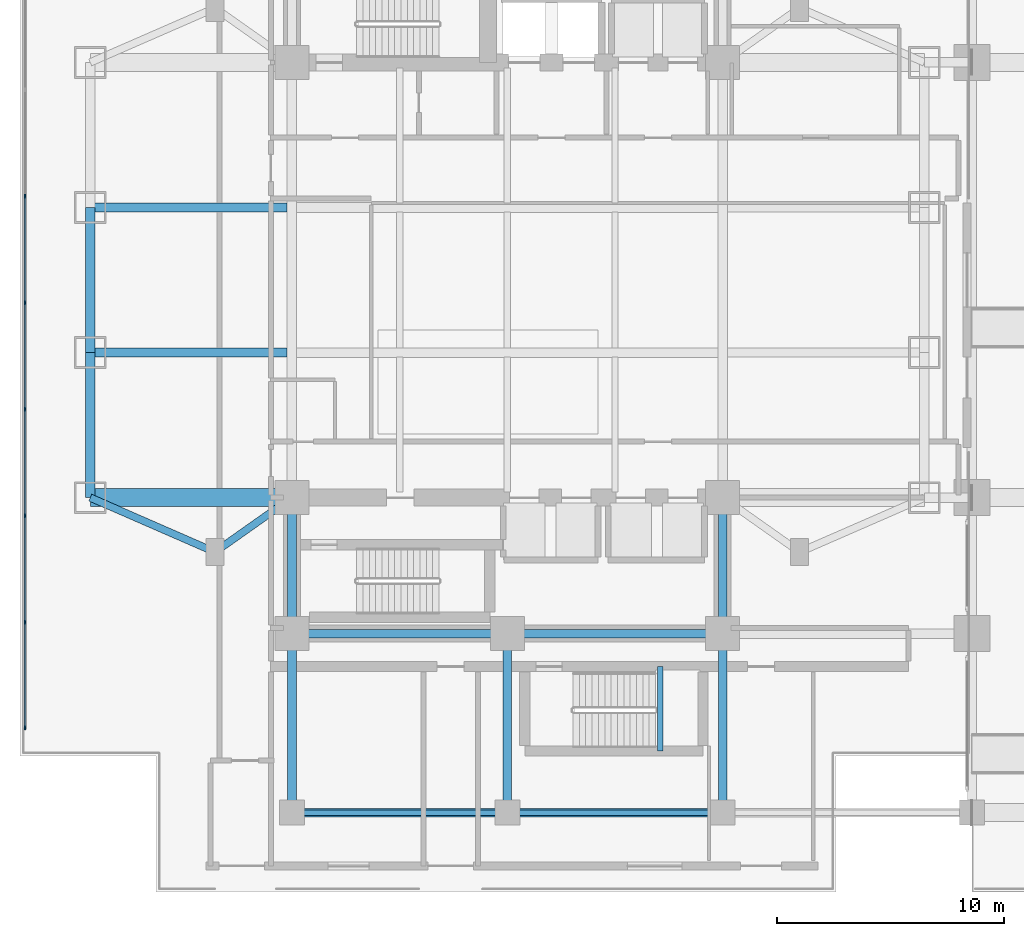
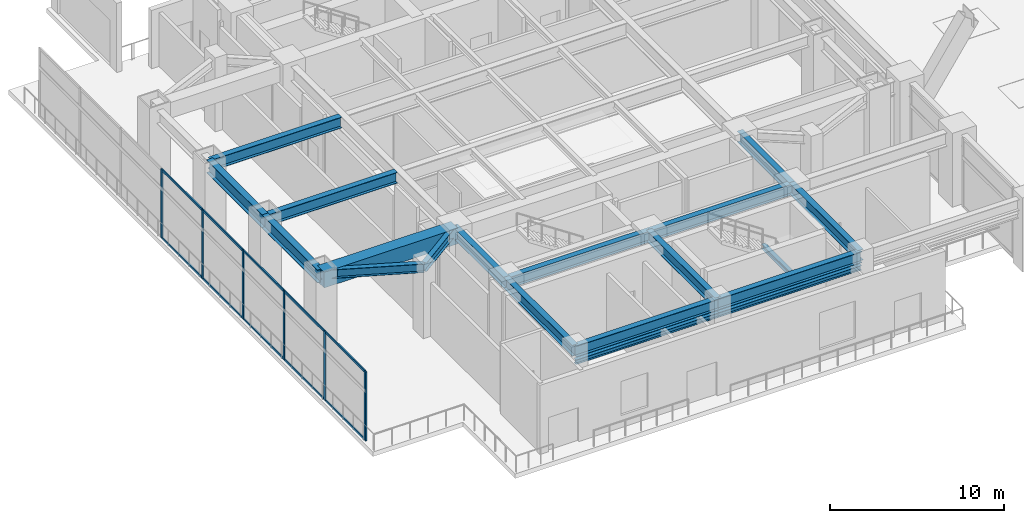
# One storey, part 2 of 27: 19 beams, 16 members, 1 element without a shape of its own.
"""IFC4 building model written with IfcOpenShell, lengths in metres."""

from ifc_helpers import new_model, si_unit, direction, frame, origin, origin_2d, place, context, subcontext, project, spatial, rectangle, i_section, extrude, material, material_profile, profile_set, type_object, element, aggregate, save


model = new_model("IFC4")

# Units and contexts
model_context = context("Model", 3, precision=1e-05, world=origin(), true_north=direction((0.0, 1.0)))
body_context = subcontext(model_context, "Body", "Model", "MODEL_VIEW")
ifc_project = project(units=[si_unit("LENGTHUNIT", "METRE"), si_unit("AREAUNIT", "SQUARE_METRE"), si_unit("VOLUMEUNIT", "CUBIC_METRE"), si_unit("PLANEANGLEUNIT", "RADIAN"), si_unit("MASSUNIT", "GRAM", prefix="KILO")], contexts=[model_context])

# Site, building, storey
site_placement = place(None, origin())
site = spatial("IfcSite", under=ifc_project, at=site_placement, CompositionType="ELEMENT")
building_placement = place(site_placement, origin())
building = spatial("IfcBuilding", under=site, at=building_placement, Name="Mirazonda Arch Towers", CompositionType="ELEMENT")
storey_placement = place(building_placement, origin())
storey = spatial("IfcBuildingStorey", under=building, at=storey_placement, Name="L00", CompositionType="ELEMENT", Elevation=0.0)

# Beams
ifc_material_1 = material(Name="Steel ASTM A992 Grade 50", Category="steel")
ifc_material_profile_1 = material_profile(ifc_material_1, i_section(OverallWidth=0.25390625, OverallDepth=0.320068359375, WebThickness=0.0087890625, FlangeThickness=0.0146484375, at=origin_2d()), Name="W12X53")
ifc_profile_set_1 = profile_set([ifc_material_profile_1], Name="Steel ASTM A992 Grade 50")
beam_type_1 = type_object("IfcBeamType", Name="BM-EXT-W12X53", PredefinedType="LINTEL", material=ifc_profile_set_1)
for number, where, z_axis, x_axis, name in (
    (1, (11.0, 4.5, 3.699951171875), (1.0, 0.0, 0.0), (0.0, 1.0, 0.0), "L00 Facade Opening Lintel LNT-S1"),
    (2, (20.5, 4.5, 3.699951171875), (1.0, 0.0, 0.0), (0.0, 1.0, 0.0), "L00 Facade Opening Lintel LNT-S2"),
):
    element("IfcBeam", number, at=place(storey_placement, frame(where, z_axis=z_axis, x_axis=x_axis)), inside=storey, type_object=beam_type_1, Name=name, PredefinedType="LINTEL", context=body_context, shape_type="SweptSolid", body=[
        extrude(i_section(OverallWidth=0.25390625, OverallDepth=0.320068359375, WebThickness=0.0087890625, FlangeThickness=0.0146484375, at=origin_2d()), origin(), (0.0, 0.0, 1.0), 9.5),
    ])
ifc_material_profile_2 = material_profile(ifc_material_1, i_section(OverallWidth=0.381103515625, OverallDepth=0.77294921875, WebThickness=0.0166015625, FlangeThickness=0.027099609375, at=origin_2d()), Name="W30X173")
ifc_profile_set_2 = profile_set([ifc_material_profile_2], Name="Steel ASTM A992 Grade 50")
beam_type_2 = type_object("IfcBeamType", Name="BM-EXT-W30X173", PredefinedType="USERDEFINED", material=ifc_profile_set_2)
for number, where, z_axis, x_axis, name in (
    (3, (11.0, 4.5, 4.493408203125), (1.0, 0.0, 0.0), (0.0, 1.0, 0.0), "L00 Floor Beam BM-POD-L00-PS-1"),
    (4, (20.5, 4.5, 4.493408203125), (1.0, 0.0, 0.0), (0.0, 1.0, 0.0), "L00 Floor Beam BM-POD-L00-PS-2"),
):
    element("IfcBeam", number, at=place(storey_placement, frame(where, z_axis=z_axis, x_axis=x_axis)), inside=storey, type_object=beam_type_2, Name=name, ObjectType="GIRDER", PredefinedType="USERDEFINED", context=body_context, shape_type="SweptSolid", body=[
        extrude(i_section(OverallWidth=0.381103515625, OverallDepth=0.77294921875, WebThickness=0.0166015625, FlangeThickness=0.027099609375, at=origin_2d()), origin(), (0.0, 0.0, 1.0), 9.5),
    ])
ifc_material_profile_3 = material_profile(ifc_material_1, i_section(OverallWidth=0.41796875, OverallDepth=0.927001953125, WebThickness=0.019287109375, FlangeThickness=0.031982421875, at=origin_2d()), Name="W36X231")
ifc_profile_set_3 = profile_set([ifc_material_profile_3], Name="Steel ASTM A992 Grade 50")
beam_type_3 = type_object("IfcBeamType", Name="BM-EXT-W36X231", PredefinedType="USERDEFINED", material=ifc_profile_set_3)
beam_1_placement = place(storey_placement, frame((2.10009765625, 18.39990234375, 4.41650390625), z_axis=(0.0, 1.0, 0.0), x_axis=(-1.0, 0.0, 0.0)))
element("IfcBeam", 5, at=beam_1_placement, inside=storey, type_object=beam_type_3, Name="L00 Floor Beam BM-T1-L00-NS-W-18", ObjectType="GIRDER", PredefinedType="USERDEFINED", context=body_context, shape_type="SweptSolid", body=[
    extrude(i_section(OverallWidth=0.41796875, OverallDepth=0.927001953125, WebThickness=0.019287109375, FlangeThickness=0.031982421875, at=origin_2d()), origin(), (0.0, 0.0, 1.0), 6.400146484375),
])
beam_2_placement = place(storey_placement, frame((2.10009765625, 24.800048828125, 4.41650390625), z_axis=(0.0, 1.0, 0.0), x_axis=(-1.0, 0.0, 0.0)))
element("IfcBeam", 6, at=beam_2_placement, inside=storey, type_object=beam_type_3, Name="L00 Floor Beam BM-T1-L00-NS-W-24", ObjectType="GIRDER", PredefinedType="USERDEFINED", context=body_context, shape_type="SweptSolid", body=[
    extrude(i_section(OverallWidth=0.41796875, OverallDepth=0.927001953125, WebThickness=0.019287109375, FlangeThickness=0.031982421875, at=origin_2d()), origin(), (0.0, 0.0, 1.0), 6.39990234375),
])
ifc_material_profile_4 = material_profile(ifc_material_1, i_section(OverallWidth=0.257080078125, OverallDepth=0.330078125, WebThickness=0.011962890625, FlangeThickness=0.01953125, at=origin_2d()), Name="W10X68")
ifc_profile_set_4 = profile_set([ifc_material_profile_4], Name="Steel ASTM A992 Grade 50")
beam_type_4 = type_object("IfcBeamType", Name="BM-INT-W10X68", PredefinedType="BEAM", material=ifc_profile_set_4)
beam_3_placement = place(storey_placement, frame((27.25, 7.219970703125, 2.235107421875), z_axis=(0.0, 1.0, 0.0), x_axis=(-1.0, 0.0, 0.0)))
element("IfcBeam", 7, at=beam_3_placement, inside=storey, type_object=beam_type_4, Name="L00 ST-POD1 Landing Trimmer Beam", PredefinedType="BEAM", context=body_context, shape_type="SweptSolid", body=[
    extrude(i_section(OverallWidth=0.257080078125, OverallDepth=0.330078125, WebThickness=0.011962890625, FlangeThickness=0.01953125, at=origin_2d()), origin(), (0.0, 0.0, 1.0), 3.72998046875),
])
ifc_material_profile_5 = material_profile(ifc_material_1, i_section(OverallWidth=0.324951171875, OverallDepth=0.615966796875, WebThickness=0.013916015625, FlangeThickness=0.021484375, at=origin_2d()), Name="W24X117")
ifc_profile_set_5 = profile_set([ifc_material_profile_5], Name="Steel ASTM A992 Grade 50")
beam_type_5 = type_object("IfcBeamType", Name="BM-INT-W24X117", PredefinedType="BEAM", material=ifc_profile_set_5)
beam_4_placement = place(storey_placement, frame((7.60009765625, 16.0, 4.572021484375), z_axis=(0.816971114901, 0.576678591087, 0.0), x_axis=(-0.576678591087, 0.816971114901, 0.0)))
element("IfcBeam", 8, at=beam_4_placement, inside=storey, type_object=beam_type_5, Name="L00 Floor Beam BM-T1-L00-PL-SW1", PredefinedType="BEAM", context=body_context, shape_type="SweptSolid", body=[
    extrude(i_section(OverallWidth=0.324951171875, OverallDepth=0.615966796875, WebThickness=0.013916015625, FlangeThickness=0.021484375, at=origin_2d()), origin(), (0.0, 0.0, 1.0), 4.16162109375),
])
beam_5_placement = place(storey_placement, frame((7.60009765625, 16.0, 4.572021484375), z_axis=(-0.916545343703, 0.399930785183, 0.0), x_axis=(-0.399930785183, -0.916545343703, 0.0)))
element("IfcBeam", 9, at=beam_5_placement, inside=storey, type_object=beam_type_5, Name="L00 Floor Beam BM-T1-L00-PL-SW2", PredefinedType="BEAM", context=body_context, shape_type="SweptSolid", body=[
    extrude(i_section(OverallWidth=0.324951171875, OverallDepth=0.615966796875, WebThickness=0.013916015625, FlangeThickness=0.021484375, at=origin_2d()), origin(), (0.0, 0.0, 1.0), 6.000732421875),
])
ifc_material_profile_6 = material_profile(ifc_material_1, i_section(OverallWidth=0.381103515625, OverallDepth=0.77294921875, WebThickness=0.0166015625, FlangeThickness=0.027099609375, at=origin_2d()), Name="W30X173")
ifc_profile_set_6 = profile_set([ifc_material_profile_6], Name="Steel ASTM A992 Grade 50")
beam_type_6 = type_object("IfcBeamType", Name="BM-INT-W30X173", PredefinedType="USERDEFINED", material=ifc_profile_set_6)
for number, where, z_axis, x_axis, name in (
    (10, (2.10009765625, 24.800048828125, 4.493408203125), (1.0, 0.0, 0.0), (0.0, 1.0, 0.0), "L00 Floor Beam BM-T1-L00-GW2"),
    (11, (2.10009765625, 31.199951171875, 4.493408203125), (1.0, 0.0, 0.0), (0.0, 1.0, 0.0), "L00 Floor Beam BM-T1-L00-GW3"),
):
    element("IfcBeam", number, at=place(storey_placement, frame(where, z_axis=z_axis, x_axis=x_axis)), inside=storey, type_object=beam_type_6, Name=name, ObjectType="GIRDER", PredefinedType="USERDEFINED", context=body_context, shape_type="SweptSolid", body=[
        extrude(i_section(OverallWidth=0.381103515625, OverallDepth=0.77294921875, WebThickness=0.0166015625, FlangeThickness=0.027099609375, at=origin_2d()), origin(), (0.0, 0.0, 1.0), 8.68994140625),
    ])
for number, where, z_axis, x_axis, name in (
    (12, (11.0, 12.39990234375, 4.493408203125), (1.0, 0.0, 0.0), (0.0, 1.0, 0.0), "L00 Floor Beam BM-T1-L00-CS1"),
    (13, (20.5, 12.39990234375, 4.493408203125), (1.0, 0.0, 0.0), (0.0, 1.0, 0.0), "L00 Floor Beam BM-T1-L00-CS2"),
):
    element("IfcBeam", number, at=place(storey_placement, frame(where, z_axis=z_axis, x_axis=x_axis)), inside=storey, type_object=beam_type_6, Name=name, ObjectType="GIRDER", PredefinedType="USERDEFINED", context=body_context, shape_type="SweptSolid", body=[
        extrude(i_section(OverallWidth=0.381103515625, OverallDepth=0.77294921875, WebThickness=0.0166015625, FlangeThickness=0.027099609375, at=origin_2d()), origin(), (0.0, 0.0, 1.0), 9.5),
    ])
for number, where, z_axis, x_axis, name in (
    (14, (11.0, 12.39990234375, 4.493408203125), (0.0, 1.0, 0.0), (-1.0, 0.0, 0.0), "L00 Floor Beam BM-T1-L00-CSW"),
    (15, (30.0, 12.39990234375, 4.493408203125), (0.0, 1.0, 0.0), (-1.0, 0.0, 0.0), "L00 Floor Beam BM-T1-L00-CSE"),
):
    element("IfcBeam", number, at=place(storey_placement, frame(where, z_axis=z_axis, x_axis=x_axis)), inside=storey, type_object=beam_type_6, Name=name, ObjectType="GIRDER", PredefinedType="USERDEFINED", context=body_context, shape_type="SweptSolid", body=[
        extrude(i_section(OverallWidth=0.381103515625, OverallDepth=0.77294921875, WebThickness=0.0166015625, FlangeThickness=0.027099609375, at=origin_2d()), origin(), (0.0, 0.0, 1.0), 6.0),
    ])
for number, where, z_axis, x_axis, name in (
    (16, (11.0, 4.5, 4.493408203125), (0.0, 1.0, 0.0), (-1.0, 0.0, 0.0), "L00 Floor Beam BM-POD-L00-PCS-1"),
    (17, (20.5, 4.5, 4.493408203125), (0.0, 1.0, 0.0), (-1.0, 0.0, 0.0), "L00 Floor Beam BM-POD-L00-PCS-2"),
    (18, (30.0, 4.5, 4.493408203125), (0.0, 1.0, 0.0), (-1.0, 0.0, 0.0), "L00 Floor Beam BM-POD-L00-PCS-3"),
):
    element("IfcBeam", number, at=place(storey_placement, frame(where, z_axis=z_axis, x_axis=x_axis)), inside=storey, type_object=beam_type_6, Name=name, ObjectType="GIRDER", PredefinedType="USERDEFINED", context=body_context, shape_type="SweptSolid", body=[
        extrude(i_section(OverallWidth=0.381103515625, OverallDepth=0.77294921875, WebThickness=0.0166015625, FlangeThickness=0.027099609375, at=origin_2d()), origin(), (0.0, 0.0, 1.0), 7.89990234375),
    ])
ifc_material_2 = material(Name="Concrete C60/75", Category="concrete")
ifc_material_profile_7 = material_profile(ifc_material_2, rectangle(XDim=0.800048828125, YDim=1.10009765625, at=origin_2d()), Name="RCCB800x1100")
ifc_profile_set_7 = profile_set([ifc_material_profile_7], Name="Concrete C60/75")
beam_type_7 = type_object("IfcBeamType", Name="CB-INT-RCCB800x1100", PredefinedType="SPANDREL", material=ifc_profile_set_7)
beam_6_placement = place(storey_placement, frame((2.10009765625, 18.39990234375, 4.330078125), z_axis=(1.0, 0.0, 0.0), x_axis=(0.0, 1.0, 0.0)))
element("IfcBeam", 19, at=beam_6_placement, inside=storey, type_object=beam_type_7, Name="L00 Floor Beam CB-T1-L00-SW", PredefinedType="SPANDREL", context=body_context, shape_type="SweptSolid", body=[
    extrude(rectangle(XDim=0.800048828125, YDim=1.10009765625, at=origin_2d()), origin(), (0.0, 0.0, 1.0), 8.89990234375),
])

# Curtain wall, members
ifc_material_3 = material(Name="Anodised Aluminium and Low-E Glass", Category="aluminium")
curtain_wall_type = type_object("IfcCurtainWallType", Name="CW-POD-STORE", PredefinedType="NOTDEFINED", material=ifc_material_3)
curtain_wall_placement = place(storey_placement, origin())
curtain_wall = element("IfcCurtainWall", 20, at=curtain_wall_placement, inside=storey, type_object=curtain_wall_type, Name="L00 West Storefront CW-L00-WW1", PredefinedType="NOTDEFINED")
ifc_material_4 = material(Name="Anodised Aluminium Alloy", Category="aluminium")
ifc_material_profile_8 = material_profile(ifc_material_4, rectangle(XDim=0.080078125, YDim=0.179931640625, at=origin_2d()), Name="ALU-MULL-80x180")
ifc_profile_set_8 = profile_set([ifc_material_profile_8], Name="Anodised Aluminium Alloy")
member_type_1 = type_object("IfcMemberType", Name="MULL-CW-POD-STORE", PredefinedType="MULLION", material=ifc_profile_set_8)
member_1_placement = place(storey_placement, frame((-0.780029296875, 8.239990234375, 0.0), z_axis=(0.0, 0.0, 1.0), x_axis=(-1.0, 0.0, 0.0)))
member_1 = element("IfcMember", 21, at=member_1_placement, type_object=member_type_1, Name="CW-102 mullion 1", PredefinedType="MULLION", context=body_context, shape_type="SweptSolid", body=[
    extrude(rectangle(XDim=0.080078125, YDim=0.179931640625, at=origin_2d()), origin(), (0.0, 0.0, 1.0), 4.860107421875),
])
member_2_placement = place(storey_placement, frame((-0.780029296875, 12.89990234375, 0.0), z_axis=(0.0, 0.0, 1.0), x_axis=(-1.0, 0.0, 0.0)))
member_2 = element("IfcMember", 22, at=member_2_placement, type_object=member_type_1, Name="CW-102 mullion 2", PredefinedType="MULLION", context=body_context, shape_type="SweptSolid", body=[
    extrude(rectangle(XDim=0.080078125, YDim=0.179931640625, at=origin_2d()), origin(), (0.0, 0.0, 1.0), 4.860107421875),
])
member_3_placement = place(storey_placement, frame((-0.780029296875, 17.60009765625, 0.0), z_axis=(0.0, 0.0, 1.0), x_axis=(-1.0, 0.0, 0.0)))
member_3 = element("IfcMember", 23, at=member_3_placement, type_object=member_type_1, Name="CW-102 mullion 3", PredefinedType="MULLION", context=body_context, shape_type="SweptSolid", body=[
    extrude(rectangle(XDim=0.080078125, YDim=0.179931640625, at=origin_2d()), origin(), (0.0, 0.0, 1.0), 4.860107421875),
])
member_4_placement = place(storey_placement, frame((-0.780029296875, 22.300048828125, 0.0), z_axis=(0.0, 0.0, 1.0), x_axis=(-1.0, 0.0, 0.0)))
member_4 = element("IfcMember", 24, at=member_4_placement, type_object=member_type_1, Name="CW-102 mullion 4", PredefinedType="MULLION", context=body_context, shape_type="SweptSolid", body=[
    extrude(rectangle(XDim=0.080078125, YDim=0.179931640625, at=origin_2d()), origin(), (0.0, 0.0, 1.0), 4.860107421875),
])
member_5_placement = place(storey_placement, frame((-0.780029296875, 27.0, 0.0), z_axis=(0.0, 0.0, 1.0), x_axis=(-1.0, 0.0, 0.0)))
member_5 = element("IfcMember", 25, at=member_5_placement, type_object=member_type_1, Name="CW-102 mullion 5", PredefinedType="MULLION", context=body_context, shape_type="SweptSolid", body=[
    extrude(rectangle(XDim=0.080078125, YDim=0.179931640625, at=origin_2d()), origin(), (0.0, 0.0, 1.0), 4.860107421875),
])
member_6_placement = place(storey_placement, frame((-0.780029296875, 31.699951171875, 0.0), z_axis=(0.0, 0.0, 1.0), x_axis=(-1.0, 0.0, 0.0)))
member_6 = element("IfcMember", 26, at=member_6_placement, type_object=member_type_1, Name="CW-102 mullion 6", PredefinedType="MULLION", context=body_context, shape_type="SweptSolid", body=[
    extrude(rectangle(XDim=0.080078125, YDim=0.179931640625, at=origin_2d()), origin(), (0.0, 0.0, 1.0), 4.860107421875),
])
ifc_material_profile_9 = material_profile(ifc_material_4, rectangle(XDim=0.080078125, YDim=0.159912109375, at=origin_2d()), Name="ALU-TRAN-80x160")
ifc_profile_set_9 = profile_set([ifc_material_profile_9], Name="Anodised Aluminium Alloy")
member_type_2 = type_object("IfcMemberType", Name="TRAN-CW-POD-STORE", PredefinedType="USERDEFINED", material=ifc_profile_set_9)
member_7_placement = place(storey_placement, frame((-0.780029296875, 8.280029296875, 0.0400390625), z_axis=(0.0, 1.0, 0.0), x_axis=(-1.0, 0.0, 0.0)))
member_7 = element("IfcMember", 27, at=member_7_placement, type_object=member_type_2, Name="CW-102 transom 1.1", ObjectType="TRANSOM", PredefinedType="USERDEFINED", context=body_context, shape_type="SweptSolid", body=[
    extrude(rectangle(XDim=0.080078125, YDim=0.159912109375, at=origin_2d()), origin(), (0.0, 0.0, 1.0), 4.580078125),
])
member_8_placement = place(storey_placement, frame((-0.780029296875, 8.280029296875, 4.820068359375), z_axis=(0.0, 1.0, 0.0), x_axis=(-1.0, 0.0, 0.0)))
member_8 = element("IfcMember", 28, at=member_8_placement, type_object=member_type_2, Name="CW-102 transom 1.2", ObjectType="TRANSOM", PredefinedType="USERDEFINED", context=body_context, shape_type="SweptSolid", body=[
    extrude(rectangle(XDim=0.080078125, YDim=0.159912109375, at=origin_2d()), origin(), (0.0, 0.0, 1.0), 4.580078125),
])
member_9_placement = place(storey_placement, frame((-0.780029296875, 12.93994140625, 0.0400390625), z_axis=(0.0, 1.0, 0.0), x_axis=(-1.0, 0.0, 0.0)))
member_9 = element("IfcMember", 29, at=member_9_placement, type_object=member_type_2, Name="CW-102 transom 2.1", ObjectType="TRANSOM", PredefinedType="USERDEFINED", context=body_context, shape_type="SweptSolid", body=[
    extrude(rectangle(XDim=0.080078125, YDim=0.159912109375, at=origin_2d()), origin(), (0.0, 0.0, 1.0), 4.6201171875),
])
member_10_placement = place(storey_placement, frame((-0.780029296875, 12.93994140625, 4.820068359375), z_axis=(0.0, 1.0, 0.0), x_axis=(-1.0, 0.0, 0.0)))
member_10 = element("IfcMember", 30, at=member_10_placement, type_object=member_type_2, Name="CW-102 transom 2.2", ObjectType="TRANSOM", PredefinedType="USERDEFINED", context=body_context, shape_type="SweptSolid", body=[
    extrude(rectangle(XDim=0.080078125, YDim=0.159912109375, at=origin_2d()), origin(), (0.0, 0.0, 1.0), 4.6201171875),
])
member_11_placement = place(storey_placement, frame((-0.780029296875, 17.639892578125, 0.0400390625), z_axis=(0.0, 1.0, 0.0), x_axis=(-1.0, 0.0, 0.0)))
member_11 = element("IfcMember", 31, at=member_11_placement, type_object=member_type_2, Name="CW-102 transom 3.1", ObjectType="TRANSOM", PredefinedType="USERDEFINED", context=body_context, shape_type="SweptSolid", body=[
    extrude(rectangle(XDim=0.080078125, YDim=0.159912109375, at=origin_2d()), origin(), (0.0, 0.0, 1.0), 4.6201171875),
])
member_12_placement = place(storey_placement, frame((-0.780029296875, 17.639892578125, 4.820068359375), z_axis=(0.0, 1.0, 0.0), x_axis=(-1.0, 0.0, 0.0)))
member_12 = element("IfcMember", 32, at=member_12_placement, type_object=member_type_2, Name="CW-102 transom 3.2", ObjectType="TRANSOM", PredefinedType="USERDEFINED", context=body_context, shape_type="SweptSolid", body=[
    extrude(rectangle(XDim=0.080078125, YDim=0.159912109375, at=origin_2d()), origin(), (0.0, 0.0, 1.0), 4.6201171875),
])
member_13_placement = place(storey_placement, frame((-0.780029296875, 22.340087890625, 0.0400390625), z_axis=(0.0, 1.0, 0.0), x_axis=(-1.0, 0.0, 0.0)))
member_13 = element("IfcMember", 33, at=member_13_placement, type_object=member_type_2, Name="CW-102 transom 4.1", ObjectType="TRANSOM", PredefinedType="USERDEFINED", context=body_context, shape_type="SweptSolid", body=[
    extrude(rectangle(XDim=0.080078125, YDim=0.159912109375, at=origin_2d()), origin(), (0.0, 0.0, 1.0), 4.619873046875),
])
member_14_placement = place(storey_placement, frame((-0.780029296875, 22.340087890625, 4.820068359375), z_axis=(0.0, 1.0, 0.0), x_axis=(-1.0, 0.0, 0.0)))
member_14 = element("IfcMember", 34, at=member_14_placement, type_object=member_type_2, Name="CW-102 transom 4.2", ObjectType="TRANSOM", PredefinedType="USERDEFINED", context=body_context, shape_type="SweptSolid", body=[
    extrude(rectangle(XDim=0.080078125, YDim=0.159912109375, at=origin_2d()), origin(), (0.0, 0.0, 1.0), 4.619873046875),
])
member_15_placement = place(storey_placement, frame((-0.780029296875, 27.0400390625, 0.0400390625), z_axis=(0.0, 1.0, 0.0), x_axis=(-1.0, 0.0, 0.0)))
member_15 = element("IfcMember", 35, at=member_15_placement, type_object=member_type_2, Name="CW-102 transom 5.1", ObjectType="TRANSOM", PredefinedType="USERDEFINED", context=body_context, shape_type="SweptSolid", body=[
    extrude(rectangle(XDim=0.080078125, YDim=0.159912109375, at=origin_2d()), origin(), (0.0, 0.0, 1.0), 4.619873046875),
])
member_16_placement = place(storey_placement, frame((-0.780029296875, 27.0400390625, 4.820068359375), z_axis=(0.0, 1.0, 0.0), x_axis=(-1.0, 0.0, 0.0)))
member_16 = element("IfcMember", 36, at=member_16_placement, type_object=member_type_2, Name="CW-102 transom 5.2", ObjectType="TRANSOM", PredefinedType="USERDEFINED", context=body_context, shape_type="SweptSolid", body=[
    extrude(rectangle(XDim=0.080078125, YDim=0.159912109375, at=origin_2d()), origin(), (0.0, 0.0, 1.0), 4.619873046875),
])
aggregate(curtain_wall, [member_1, member_2, member_3, member_4, member_5, member_6, member_7, member_8, member_9, member_10, member_11, member_12, member_13, member_14, member_15, member_16])

save(model, "model.ifc")
